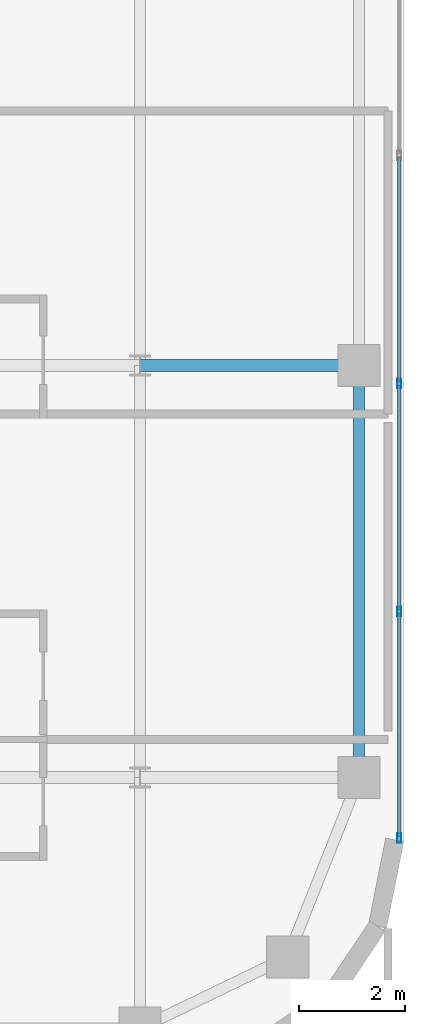
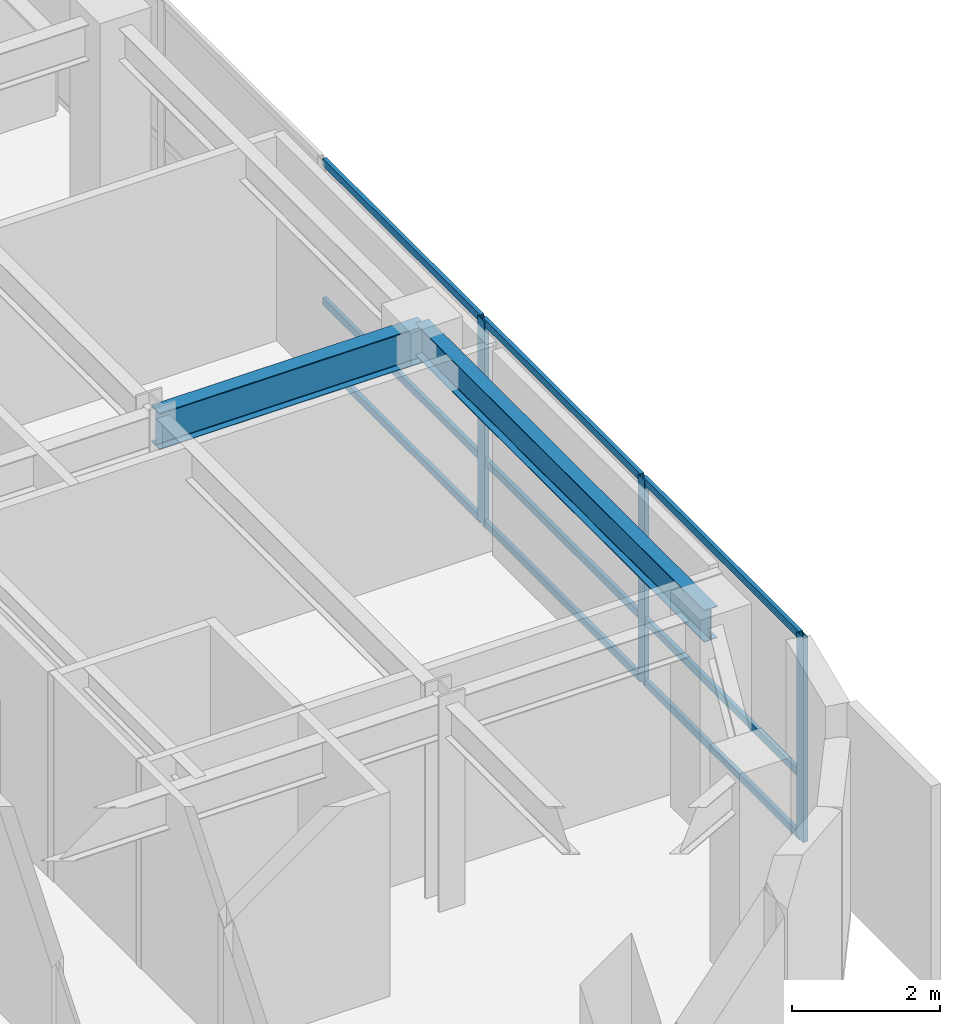
# One storey, part 8 of 26: 12 members, 2 beams, 1 element without a shape of its own.
"""IFC4 building model written with IfcOpenShell, lengths in metres."""

from ifc_helpers import new_model, si_unit, direction, frame, origin, origin_2d, place, context, subcontext, project, spatial, hollow_rectangle, i_section, extrude, source, transform, mapped, material, layer, layer_set, material_profile, profile_set, type_object, type_shapes, element, aggregate, save


model = new_model("IFC4")

# Units and contexts
model_context = context("Model", 3, precision=1e-05, world=origin(), true_north=direction((0.0, 1.0)))
body_context = subcontext(model_context, "Body", "Model", "MODEL_VIEW")
ifc_project = project(units=[si_unit("LENGTHUNIT", "METRE"), si_unit("AREAUNIT", "SQUARE_METRE"), si_unit("VOLUMEUNIT", "CUBIC_METRE"), si_unit("PLANEANGLEUNIT", "RADIAN"), si_unit("MASSUNIT", "GRAM", prefix="KILO")], contexts=[model_context])

# Site, building, storey
site_placement = place(None, origin())
site = spatial("IfcSite", under=ifc_project, at=site_placement, CompositionType="ELEMENT")
building_placement = place(site_placement, origin())
building = spatial("IfcBuilding", under=site, at=building_placement, Name="Tolvann Quenvar Hotel", CompositionType="ELEMENT")
storey_placement = place(building_placement, frame((0.0, 0.0, 168.35009765625)))
storey = spatial("IfcBuildingStorey", under=building, at=storey_placement, Name="L44", CompositionType="ELEMENT", Elevation=168.35009765625)

# Beams
ifc_material_1 = material(Name="Steel Grade 350", Category="steel")
ifc_material_profile_1 = material_profile(ifc_material_1, i_section(OverallWidth=0.208984375, OverallDepth=0.528076171875, WebThickness=0.009521484375, FlangeThickness=0.01318359375, FilletRadius=0.013916015625, at=origin_2d()), Name="530UB82")
ifc_profile_set_1 = profile_set([ifc_material_profile_1], Name="Steel Grade 350")
beam_type_1 = type_object("IfcBeamType", Name="BM_SPAND_530UB82", PredefinedType="SPANDREL", material=ifc_profile_set_1)
shared_shape_1 = source(origin(), body_context, "Body", "SweptSolid", [
    extrude(i_section(OverallWidth=0.208984375, OverallDepth=0.528076171875, WebThickness=0.009521484375, FlangeThickness=0.01318359375, FilletRadius=0.013916015625, at=origin_2d()), origin(), (0.0, 0.0, 1.0), 7.800048828125),
])
type_shapes(beam_type_1, [shared_shape_1])
beam_1_placement = place(storey_placement, frame((53.550048828125, 8.199951171875, 3.10595703125), z_axis=(0.0, 1.0, 0.0), x_axis=(-1.0, 0.0, 0.0)))
element("IfcBeam", 1, at=beam_1_placement, inside=storey, type_object=beam_type_1, Name="BM-L44-NS-J3-J4", PredefinedType="SPANDREL", context=body_context, shape_type="MappedRepresentation", body=[
    mapped(shared_shape_1, transform((0.0, 0.0, 0.0), x_axis=(1.0, 0.0, 0.0), y_axis=(0.0, 1.0, 0.0), z_axis=(0.0, 0.0, 1.0), scale=1.0)),
])
ifc_material_profile_2 = material_profile(ifc_material_1, i_section(OverallWidth=0.22802734375, OverallDepth=0.60205078125, WebThickness=0.010498046875, FlangeThickness=0.014892578125, FilletRadius=0.013916015625, at=origin_2d()), Name="610UB101")
ifc_profile_set_2 = profile_set([ifc_material_profile_2], Name="Steel Grade 350")
beam_type_2 = type_object("IfcBeamType", Name="BM_GIRD_610UB101", PredefinedType="BEAM", material=ifc_profile_set_2)
shared_shape_2 = source(origin(), body_context, "Body", "SweptSolid", [
    extrude(i_section(OverallWidth=0.22802734375, OverallDepth=0.60205078125, WebThickness=0.010498046875, FlangeThickness=0.014892578125, FilletRadius=0.013916015625, at=origin_2d()), origin(), (0.0, 0.0, 1.0), 4.150146484375),
])
type_shapes(beam_type_2, [shared_shape_2])
beam_2_placement = place(storey_placement, frame((49.39990234375, 16.0, 3.06884765625), z_axis=(1.0, 0.0, 0.0), x_axis=(0.0, 1.0, 0.0)))
element("IfcBeam", 2, at=beam_2_placement, inside=storey, type_object=beam_type_2, Name="BM-L44-EW-4-I4-J4", PredefinedType="BEAM", context=body_context, shape_type="MappedRepresentation", body=[
    mapped(shared_shape_2, transform((0.0, 0.0, 0.0), x_axis=(1.0, 0.0, 0.0), y_axis=(0.0, 1.0, 0.0), z_axis=(0.0, 0.0, 1.0), scale=1.0)),
])

# Curtain wall, members
ifc_material_2 = material(Name="Thermally broken anodised architectural aluminium 6063-T6 and laminated low-E glass", Category="aluminium")
ifc_layer = layer(ifc_material_2, 0.179931640625)
ifc_layer_set = layer_set([ifc_layer], Name="Thermally broken anodised architectural aluminium 6063-T6 and laminated low-E glass")
curtain_wall_type = type_object("IfcCurtainWallType", Name="CW_SYS_BAND_04", PredefinedType="USERDEFINED", material=ifc_layer_set)
curtain_wall_placement = place(storey_placement, origin())
curtain_wall = element("IfcCurtainWall", 3, at=curtain_wall_placement, inside=storey, type_object=curtain_wall_type, Name="Curtain Wall CW-BAND-04 (CWR-L44-E13)", ObjectType="UNITISED CURTAIN WALL", PredefinedType="USERDEFINED")
ifc_material_3 = material(Name="Anodised architectural aluminium 6063-T6 framing", Category="aluminium")
ifc_material_profile_3 = material_profile(ifc_material_3, hollow_rectangle(XDim=0.070068359375, YDim=0.179931640625, WallThickness=0.00390625, at=origin_2d()), Name="180x70x4RHS")
ifc_profile_set_3 = profile_set([ifc_material_profile_3], Name="Anodised architectural aluminium 6063-T6 framing")
member_type_1 = type_object("IfcMemberType", Name="CW_MULL_180x70", PredefinedType="MULLION", material=ifc_profile_set_3)
shared_shape_3 = source(origin(), body_context, "Body", "SweptSolid", [
    extrude(hollow_rectangle(XDim=0.070068359375, YDim=0.179931640625, WallThickness=0.00390625, at=origin_2d()), origin(), (0.0, 0.0, 1.0), 3.369873046875),
])
type_shapes(member_type_1, [shared_shape_3])
member_1_placement = place(storey_placement, frame((54.31005859375, 7.05224609375, 0.0), z_axis=(0.0, 0.0, 1.0), x_axis=(-1.0, 0.0, 0.0)))
member_1 = element("IfcMember", 4, at=member_1_placement, type_object=member_type_1, Name="CW-BAND-04 mullion 1", PredefinedType="MULLION", context=body_context, shape_type="MappedRepresentation", body=[
    mapped(shared_shape_3, transform((0.0, 0.0, 0.0), x_axis=(1.0, 0.0, 0.0), y_axis=(0.0, 1.0, 0.0), z_axis=(0.0, 0.0, 1.0), scale=1.0)),
])
member_2_placement = place(storey_placement, frame((54.31005859375, 11.337890625, 0.0), z_axis=(0.0, 0.0, 1.0), x_axis=(-1.0, 0.0, 0.0)))
member_2 = element("IfcMember", 5, at=member_2_placement, type_object=member_type_1, Name="CW-BAND-04 mullion 2", PredefinedType="MULLION", context=body_context, shape_type="MappedRepresentation", body=[
    mapped(shared_shape_3, transform((0.0, 0.0, 0.0), x_axis=(1.0, 0.0, 0.0), y_axis=(0.0, 1.0, 0.0), z_axis=(0.0, 0.0, 1.0), scale=1.0)),
])
member_3_placement = place(storey_placement, frame((54.31005859375, 15.65869140625, 0.0), z_axis=(0.0, 0.0, 1.0), x_axis=(-1.0, 0.0, 0.0)))
member_3 = element("IfcMember", 6, at=member_3_placement, type_object=member_type_1, Name="CW-BAND-04 mullion 3", PredefinedType="MULLION", context=body_context, shape_type="MappedRepresentation", body=[
    mapped(shared_shape_3, transform((0.0, 0.0, 0.0), x_axis=(1.0, 0.0, 0.0), y_axis=(0.0, 1.0, 0.0), z_axis=(0.0, 0.0, 1.0), scale=1.0)),
])
ifc_material_profile_4 = material_profile(ifc_material_3, hollow_rectangle(XDim=0.06005859375, YDim=0.1201171875, WallThickness=0.00341796875, at=origin_2d()), Name="120x60x3.5RHS")
ifc_profile_set_4 = profile_set([ifc_material_profile_4], Name="Anodised architectural aluminium 6063-T6 framing")
member_type_2 = type_object("IfcMemberType", Name="CW_TRAN_120x60", PredefinedType="USERDEFINED", material=ifc_profile_set_4)
shared_shape_4 = source(origin(), body_context, "Body", "SweptSolid", [
    extrude(hollow_rectangle(XDim=0.06005859375, YDim=0.1201171875, WallThickness=0.00341796875, at=origin_2d()), origin(), (0.0, 0.0, 1.0), 4.250732421875),
])
member_4_placement = place(storey_placement, frame((54.31005859375, 11.372802734375, 0.02978515625), z_axis=(0.0, 1.0, 0.0), x_axis=(-1.0, 0.0, 0.0)))
member_4 = element("IfcMember", 7, at=member_4_placement, type_object=member_type_2, Name="CW-BAND-04 transom 2.1", ObjectType="TRANSOM", PredefinedType="USERDEFINED", context=body_context, shape_type="MappedRepresentation", body=[
    mapped(shared_shape_4, transform((0.0, 0.0, 0.0), x_axis=(1.0, 0.0, 0.0), y_axis=(0.0, 1.0, 0.0), z_axis=(0.0, 0.0, 1.0), scale=1.0)),
])
member_5_placement = place(storey_placement, frame((54.31005859375, 11.372802734375, 1.0498046875), z_axis=(0.0, 1.0, 0.0), x_axis=(-1.0, 0.0, 0.0)))
member_5 = element("IfcMember", 8, at=member_5_placement, type_object=member_type_2, Name="CW-BAND-04 transom 2.2", ObjectType="TRANSOM", PredefinedType="USERDEFINED", context=body_context, shape_type="MappedRepresentation", body=[
    mapped(shared_shape_4, transform((0.0, 0.0, 0.0), x_axis=(1.0, 0.0, 0.0), y_axis=(0.0, 1.0, 0.0), z_axis=(0.0, 0.0, 1.0), scale=1.0)),
])
member_6_placement = place(storey_placement, frame((54.31005859375, 11.372802734375, 3.33984375), z_axis=(0.0, 1.0, 0.0), x_axis=(-1.0, 0.0, 0.0)))
member_6 = element("IfcMember", 9, at=member_6_placement, type_object=member_type_2, Name="CW-BAND-04 transom 2.3", ObjectType="TRANSOM", PredefinedType="USERDEFINED", context=body_context, shape_type="MappedRepresentation", body=[
    mapped(shared_shape_4, transform((0.0, 0.0, 0.0), x_axis=(1.0, 0.0, 0.0), y_axis=(0.0, 1.0, 0.0), z_axis=(0.0, 0.0, 1.0), scale=1.0)),
])
member_7_placement = place(storey_placement, frame((54.31005859375, 15.693603515625, 0.02978515625), z_axis=(0.0, 1.0, 0.0), x_axis=(-1.0, 0.0, 0.0)))
member_7 = element("IfcMember", 10, at=member_7_placement, type_object=member_type_2, Name="CW-BAND-04 transom 3.1", ObjectType="TRANSOM", PredefinedType="USERDEFINED", context=body_context, shape_type="MappedRepresentation", body=[
    mapped(shared_shape_4, transform((0.0, 0.0, 0.0), x_axis=(1.0, 0.0, 0.0), y_axis=(0.0, 1.0, 0.0), z_axis=(0.0, 0.0, 1.0), scale=1.0)),
])
member_8_placement = place(storey_placement, frame((54.31005859375, 15.693603515625, 1.0498046875), z_axis=(0.0, 1.0, 0.0), x_axis=(-1.0, 0.0, 0.0)))
member_8 = element("IfcMember", 11, at=member_8_placement, type_object=member_type_2, Name="CW-BAND-04 transom 3.2", ObjectType="TRANSOM", PredefinedType="USERDEFINED", context=body_context, shape_type="MappedRepresentation", body=[
    mapped(shared_shape_4, transform((0.0, 0.0, 0.0), x_axis=(1.0, 0.0, 0.0), y_axis=(0.0, 1.0, 0.0), z_axis=(0.0, 0.0, 1.0), scale=1.0)),
])
member_9_placement = place(storey_placement, frame((54.31005859375, 15.693603515625, 3.33984375), z_axis=(0.0, 1.0, 0.0), x_axis=(-1.0, 0.0, 0.0)))
member_9 = element("IfcMember", 12, at=member_9_placement, type_object=member_type_2, Name="CW-BAND-04 transom 3.3", ObjectType="TRANSOM", PredefinedType="USERDEFINED", context=body_context, shape_type="MappedRepresentation", body=[
    mapped(shared_shape_4, transform((0.0, 0.0, 0.0), x_axis=(1.0, 0.0, 0.0), y_axis=(0.0, 1.0, 0.0), z_axis=(0.0, 0.0, 1.0), scale=1.0)),
])
shared_shape_5 = source(origin(), body_context, "Body", "SweptSolid", [
    extrude(hollow_rectangle(XDim=0.06005859375, YDim=0.1201171875, WallThickness=0.00341796875, at=origin_2d()), origin(), (0.0, 0.0, 1.0), 4.2158203125),
])
type_shapes(member_type_2, [shared_shape_4, shared_shape_5])
member_10_placement = place(storey_placement, frame((54.31005859375, 7.087158203125, 0.02978515625), z_axis=(0.0, 1.0, 0.0), x_axis=(-1.0, 0.0, 0.0)))
member_10 = element("IfcMember", 13, at=member_10_placement, type_object=member_type_2, Name="CW-BAND-04 transom 1.1", ObjectType="TRANSOM", PredefinedType="USERDEFINED", context=body_context, shape_type="MappedRepresentation", body=[
    mapped(shared_shape_5, transform((0.0, 0.0, 0.0), x_axis=(1.0, 0.0, 0.0), y_axis=(0.0, 1.0, 0.0), z_axis=(0.0, 0.0, 1.0), scale=1.0)),
])
member_11_placement = place(storey_placement, frame((54.31005859375, 7.087158203125, 1.0498046875), z_axis=(0.0, 1.0, 0.0), x_axis=(-1.0, 0.0, 0.0)))
member_11 = element("IfcMember", 14, at=member_11_placement, type_object=member_type_2, Name="CW-BAND-04 transom 1.2", ObjectType="TRANSOM", PredefinedType="USERDEFINED", context=body_context, shape_type="MappedRepresentation", body=[
    mapped(shared_shape_5, transform((0.0, 0.0, 0.0), x_axis=(1.0, 0.0, 0.0), y_axis=(0.0, 1.0, 0.0), z_axis=(0.0, 0.0, 1.0), scale=1.0)),
])
member_12_placement = place(storey_placement, frame((54.31005859375, 7.087158203125, 3.33984375), z_axis=(0.0, 1.0, 0.0), x_axis=(-1.0, 0.0, 0.0)))
member_12 = element("IfcMember", 15, at=member_12_placement, type_object=member_type_2, Name="CW-BAND-04 transom 1.3", ObjectType="TRANSOM", PredefinedType="USERDEFINED", context=body_context, shape_type="MappedRepresentation", body=[
    mapped(shared_shape_5, transform((0.0, 0.0, 0.0), x_axis=(1.0, 0.0, 0.0), y_axis=(0.0, 1.0, 0.0), z_axis=(0.0, 0.0, 1.0), scale=1.0)),
])
aggregate(curtain_wall, [member_1, member_2, member_3, member_10, member_11, member_12, member_4, member_5, member_6, member_7, member_8, member_9])

save(model, "model.ifc")
